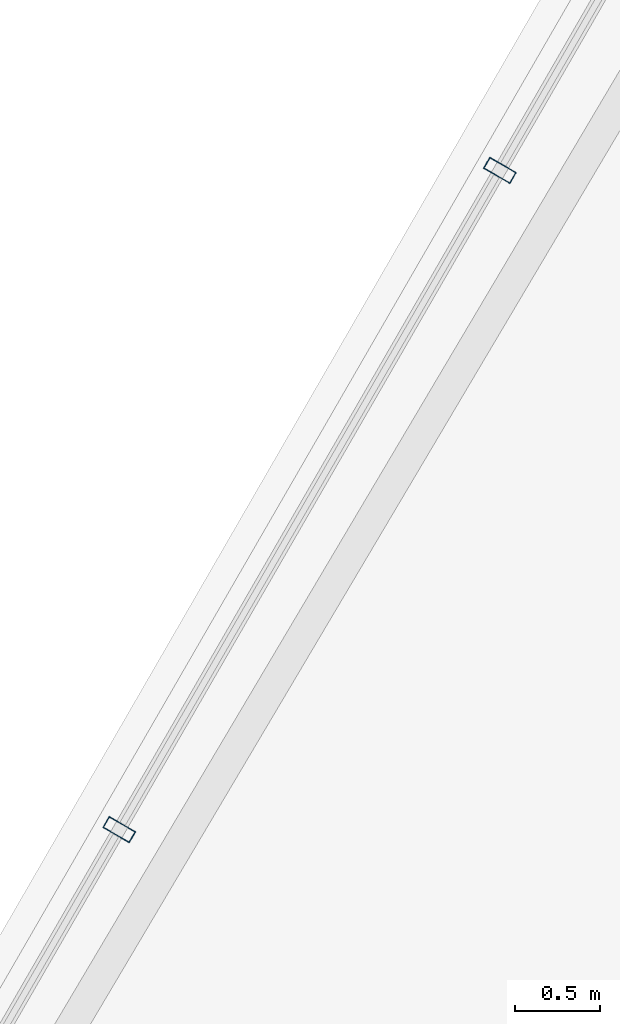
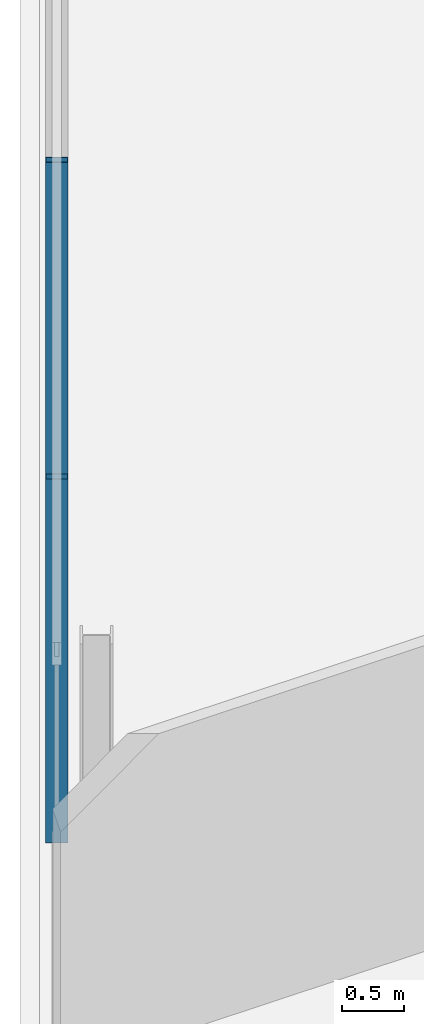
# One storey, part 13 of 32: 2 members, 1 element without a shape of its own.
"""IFC4 building model written with IfcOpenShell, lengths in metres."""

import ifcopenshell
import ifcopenshell.guid

model = None  # the IFC model being written
_history = None  # IfcOwnerHistory: only IFC2X3 demands one
_inside = {}  # id of a spatial element -> (the spatial element, [elements in it])
_under = {}  # id of a project, library or spatial element -> (it, [spatial elements below it])
_declared = {}  # id of a project -> (the project, [libraries it declares])
_typed = {}  # id of a type object -> (the type object, [elements of that type])
_made_of = {}  # id of a material, layer set ... -> (it, [elements and type objects made of it])


def new_model(schema):
    """Start an empty IFC model of exactly this schema.

    Asked for "IFC4X3", IfcOpenShell would pick the latest addendum, in which some entities
    have other attributes; the version numbers below select the first issue.
    IFC2X3 requires an IfcOwnerHistory on every rooted entity: one is made here for all.
    """
    global model, _history
    if schema == "IFC4X3":
        model = ifcopenshell.file(schema_version=(4, 3, 0, 0))
    else:
        model = ifcopenshell.file(schema=schema)
    _inside.clear()
    _under.clear()
    _declared.clear()
    _typed.clear()
    _made_of.clear()
    _history = None
    if model.schema == "IFC2X3":
        org = make("IfcOrganization", Name="unknown")
        user = make(
            "IfcPersonAndOrganization",
            ThePerson=make("IfcPerson", FamilyName="unknown"),
            TheOrganization=org,
        )
        app = make(
            "IfcApplication",
            ApplicationDeveloper=org,
            Version="unknown",
            ApplicationFullName="unknown",
            ApplicationIdentifier="unknown",
        )
        _history = make(
            "IfcOwnerHistory",
            OwningUser=user,
            OwningApplication=app,
            ChangeAction="ADDED",
            CreationDate=0,
        )
    return model


def make(cls, **values):
    """One entity of the class cls with the attributes given. An attribute that is None is left unset."""
    return model.create_entity(
        cls, **{name: value for name, value in values.items() if value is not None}
    )


def rooted(cls, **values):
    """An entity with a GlobalId (a new one), such as an element, a storey or a relation."""
    return make(cls, GlobalId=ifcopenshell.guid.new(), OwnerHistory=_history, **values)


def si_unit(unit_type, name, prefix=None):
    """IfcSIUnit, for example si_unit("LENGTHUNIT", "METRE", prefix="MILLI")."""
    return make("IfcSIUnit", UnitType=unit_type, Prefix=prefix, Name=name)


def assignment(units):
    """IfcUnitAssignment: the units of a project."""
    return None if units is None else make("IfcUnitAssignment", Units=units)


def point(xyz):
    """IfcCartesianPoint."""
    return None if xyz is None else make("IfcCartesianPoint", Coordinates=xyz)


def direction(xyz):
    """IfcDirection."""
    return None if xyz is None else make("IfcDirection", DirectionRatios=xyz)


def frame(location, z_axis=None, x_axis=None):
    """IfcAxis2Placement3D, a coordinate frame: its origin and axes. An axis left out is left unset."""
    return make(
        "IfcAxis2Placement3D",
        Location=point(location),
        Axis=direction(z_axis),
        RefDirection=direction(x_axis),
    )


def frame_2d(location, x_axis=None):
    """IfcAxis2Placement2D, a coordinate frame in the plane: its origin and x axis."""
    return make(
        "IfcAxis2Placement2D", Location=point(location), RefDirection=direction(x_axis)
    )


def origin():
    """The frame at (0, 0, 0) with its axes left unset."""
    return frame((0.0, 0.0, 0.0))


def origin_2d():
    """The frame at (0, 0) in the plane with its x axis left unset."""
    return frame_2d((0.0, 0.0))


def place(relative_to, where):
    """IfcLocalPlacement: puts the frame where relative to a parent placement (None: the world)."""
    return make(
        "IfcLocalPlacement", PlacementRelTo=relative_to, RelativePlacement=where
    )


def context(
    kind, dimensions, precision=None, world=None, true_north=None, identifier=None
):
    """IfcGeometricRepresentationContext, for example the 3D "Model" context."""
    return make(
        "IfcGeometricRepresentationContext",
        ContextIdentifier=identifier,
        ContextType=kind,
        CoordinateSpaceDimension=dimensions,
        Precision=precision,
        WorldCoordinateSystem=world,
        TrueNorth=true_north,
    )


def subcontext(parent, identifier, kind, view, scale=None):
    """IfcGeometricRepresentationSubContext, for example "Body" below "Model"."""
    return make(
        "IfcGeometricRepresentationSubContext",
        ContextIdentifier=identifier,
        ContextType=kind,
        ParentContext=parent,
        TargetScale=scale,
        TargetView=view,
    )


def project(units=None, contexts=None):
    """IfcProject with its units and contexts."""
    return rooted(
        "IfcProject",
        Name="project",
        RepresentationContexts=contexts,
        UnitsInContext=assignment(units),
    )


def spatial(cls, under=None, at=None, **own):
    """A site, building, storey or space (cls), placed at a placement, below another one or the project."""
    s = rooted(cls, ObjectPlacement=at, **own)
    if under is not None:
        _under.setdefault(under.id(), (under, []))[1].append(s)
    return s


def profile(cls, at=None, kind="AREA", **sizes):
    """A parametric profile (cls). Its sizes go by their IFC names, for example OverallWidth=200.0."""
    return make(cls, ProfileType=kind, Position=at, **sizes)


def hollow_rectangle(**sizes):
    """IfcRectangleHollowProfileDef."""
    return profile("IfcRectangleHollowProfileDef", **sizes)


def extrude(swept, where, along, depth):
    """IfcExtrudedAreaSolid: the profile swept, set in the frame where, extruded along a direction by depth."""
    return make(
        "IfcExtrudedAreaSolid",
        SweptArea=swept,
        Position=where,
        ExtrudedDirection=direction(along),
        Depth=depth,
    )


def shape(context_of_items, identifier, shape_type, items):
    """IfcShapeRepresentation: the items that make up one representation, for example the "Body"."""
    return make(
        "IfcShapeRepresentation",
        ContextOfItems=context_of_items,
        RepresentationIdentifier=identifier,
        RepresentationType=shape_type,
        Items=items,
    )


def material(Name=None, Category=None):
    """IfcMaterial."""
    return make("IfcMaterial", Name=Name, Category=Category)


def layer(
    of_material, thickness, ventilated=None, Name=None, Category=None, Priority=None
):
    """IfcMaterialLayer: one layer of a wall or slab, of a material (None: an air gap)."""
    return make(
        "IfcMaterialLayer",
        Material=of_material,
        LayerThickness=thickness,
        IsVentilated=ventilated,
        Name=Name,
        Category=Category,
        Priority=Priority,
    )


def layer_set(layers, Name=None):
    """IfcMaterialLayerSet."""
    return make("IfcMaterialLayerSet", MaterialLayers=layers, LayerSetName=Name)


def material_profile(
    of_material, cross_section, Name=None, Category=None, Priority=None
):
    """IfcMaterialProfile: a cross section and its material."""
    return make(
        "IfcMaterialProfile",
        Name=Name,
        Material=of_material,
        Profile=cross_section,
        Priority=Priority,
        Category=Category,
    )


def profile_set(profiles, Name=None, composite=None):
    """IfcMaterialProfileSet."""
    return make(
        "IfcMaterialProfileSet",
        Name=Name,
        MaterialProfiles=profiles,
        CompositeProfile=composite,
    )


def made_of(thing, what):
    """Note that an element or type object is made of a material, layer set ...; save() writes the relation."""
    if what is not None:
        _made_of.setdefault(what.id(), (what, []))[1].append(thing)
    return thing


def type_object(cls, material=None, **own):
    """A type object (cls), such as IfcWallType, which elements share."""
    return made_of(rooted(cls, **own), material)


def element(
    cls,
    number,
    at=None,
    inside=None,
    cuts=None,
    type_object=None,
    material=None,
    context=None,
    identifier="Body",
    shape_type=None,
    held_by="IfcProductDefinitionShape",
    body=None,
    shapes=None,
    **own,
):
    """One element of the class cls, such as IfcWall. Its Tag is "e" and its number.

    at: its placement. inside: the storey or other place that contains it. cuts: it is an
    opening in that element (IfcRelVoidsElement). A single representation is given by context,
    identifier, shape_type and body (its items); several are given by shapes. held_by: the class
    of the entity that holds the representations. save() writes the other relations.
    """
    e = rooted(cls, Tag="e%d" % number, ObjectPlacement=at, **own)
    if body is not None:
        shapes = [shape(context, identifier, shape_type, body)]
    if shapes is not None:
        e.Representation = make(held_by, Representations=shapes)
    if inside is not None:
        _inside.setdefault(inside.id(), (inside, []))[1].append(e)
    if cuts is not None:
        rooted(
            "IfcRelVoidsElement", RelatingBuildingElement=cuts, RelatedOpeningElement=e
        )
    if type_object is not None:
        _typed.setdefault(type_object.id(), (type_object, []))[1].append(e)
    return made_of(e, material)


def aggregate(whole, parts):
    """IfcRelAggregates: a whole, such as a stair, and the parts it consists of."""
    return rooted("IfcRelAggregates", RelatingObject=whole, RelatedObjects=parts)


def save(model, path):
    """Write the relations noted so far, then the file.

    IfcRelAggregates (storeys below a building ...), IfcRelContainedInSpatialStructure (elements
    in a storey), IfcRelDefinesByType, IfcRelAssociatesMaterial and IfcRelDeclares: one each for
    every whole, place, type object, material and project.
    """
    for whole, parts in _under.values():
        aggregate(whole, parts)
    for where, things in _inside.values():
        rooted(
            "IfcRelContainedInSpatialStructure",
            RelatedElements=things,
            RelatingStructure=where,
        )
    for kind, things in _typed.values():
        rooted("IfcRelDefinesByType", RelatedObjects=things, RelatingType=kind)
    for what, things in _made_of.values():
        rooted("IfcRelAssociatesMaterial", RelatedObjects=things, RelatingMaterial=what)
    for by, libraries in _declared.values():
        rooted("IfcRelDeclares", RelatingContext=by, RelatedDefinitions=libraries)
    model.write(path)


model = new_model("IFC4")

# Units and contexts
model_context = context("Model", 3, precision=1e-05, world=origin(), true_north=direction((0.0, 1.0)))
body_context = subcontext(model_context, "Body", "Model", "MODEL_VIEW")
ifc_project = project(units=[si_unit("LENGTHUNIT", "METRE"), si_unit("AREAUNIT", "SQUARE_METRE"), si_unit("VOLUMEUNIT", "CUBIC_METRE"), si_unit("PLANEANGLEUNIT", "RADIAN"), si_unit("MASSUNIT", "GRAM", prefix="KILO")], contexts=[model_context])

# Site, building, storey
site_placement = place(None, origin())
site = spatial("IfcSite", under=ifc_project, at=site_placement, CompositionType="ELEMENT")
building_placement = place(site_placement, origin())
building = spatial("IfcBuilding", under=site, at=building_placement, Name="Ndaravel Arena Tower", CompositionType="ELEMENT")
storey_placement = place(building_placement, frame((0.0, 0.0, 283.300048828125)))
storey = spatial("IfcBuildingStorey", under=building, at=storey_placement, Name="L69", CompositionType="ELEMENT", Elevation=283.300048828125)

# Curtain wall, members
ifc_material_1 = material(Name="Aluminium", Category="aluminium")
ifc_layer = layer(ifc_material_1, 0.179931640625)
ifc_layer_set = layer_set([ifc_layer], Name="Aluminium")
curtain_wall_type = type_object("IfcCurtainWallType", Name="CW-SYS-03", PredefinedType="NOTDEFINED", material=ifc_layer_set)
curtain_wall_placement = place(storey_placement, origin())
curtain_wall = element("IfcCurtainWall", 1, at=curtain_wall_placement, inside=storey, type_object=curtain_wall_type, Name="L69 Faceted Crystal Curtain Wall CW-L69-E05", PredefinedType="NOTDEFINED")
ifc_material_2 = material(Name="Aluminium", Category="aluminium")
ifc_material_profile = material_profile(ifc_material_2, hollow_rectangle(XDim=0.074951171875, YDim=0.179931640625, WallThickness=0.00390625, at=origin_2d()), Name="CW MULLION 75x180x4")
ifc_profile_set = profile_set([ifc_material_profile], Name="Aluminium")
member_type = type_object("IfcMemberType", Name="MEM-CW-MUL180", PredefinedType="MULLION", material=ifc_profile_set)
member_1_placement = place(storey_placement, frame((33.04931640625, 32.23046875, 0.0), z_axis=(0.0, 0.0, 1.0), x_axis=(-0.5, -0.866025403784, 0.0)))
member_1 = element("IfcMember", 2, at=member_1_placement, type_object=member_type, Name="CW-L69-E05 Mullion 03", PredefinedType="MULLION", context=body_context, shape_type="SweptSolid", body=[
    extrude(hollow_rectangle(XDim=0.074951171875, YDim=0.179931640625, WallThickness=0.00390625, at=origin_2d()), origin(), (0.0, 0.0, 1.0), 3.579833984375),
])
member_2_placement = place(storey_placement, frame((30.8232421875, 28.374755859375, 0.0), z_axis=(0.0, 0.0, 1.0), x_axis=(-0.5, -0.866025403784, 0.0)))
member_2 = element("IfcMember", 3, at=member_2_placement, type_object=member_type, Name="CW-L69-E05 Mullion 04", PredefinedType="MULLION", context=body_context, shape_type="SweptSolid", body=[
    extrude(hollow_rectangle(XDim=0.074951171875, YDim=0.179931640625, WallThickness=0.00390625, at=origin_2d()), origin(), (0.0, 0.0, 1.0), 3.579833984375),
])
aggregate(curtain_wall, [member_1, member_2])

save(model, "model.ifc")
